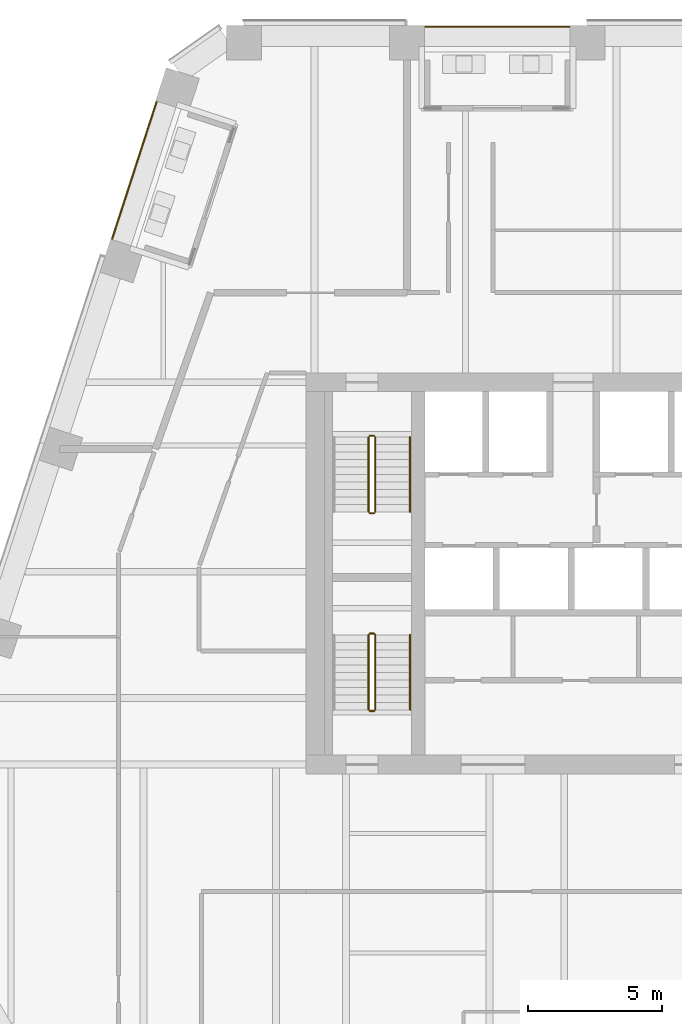
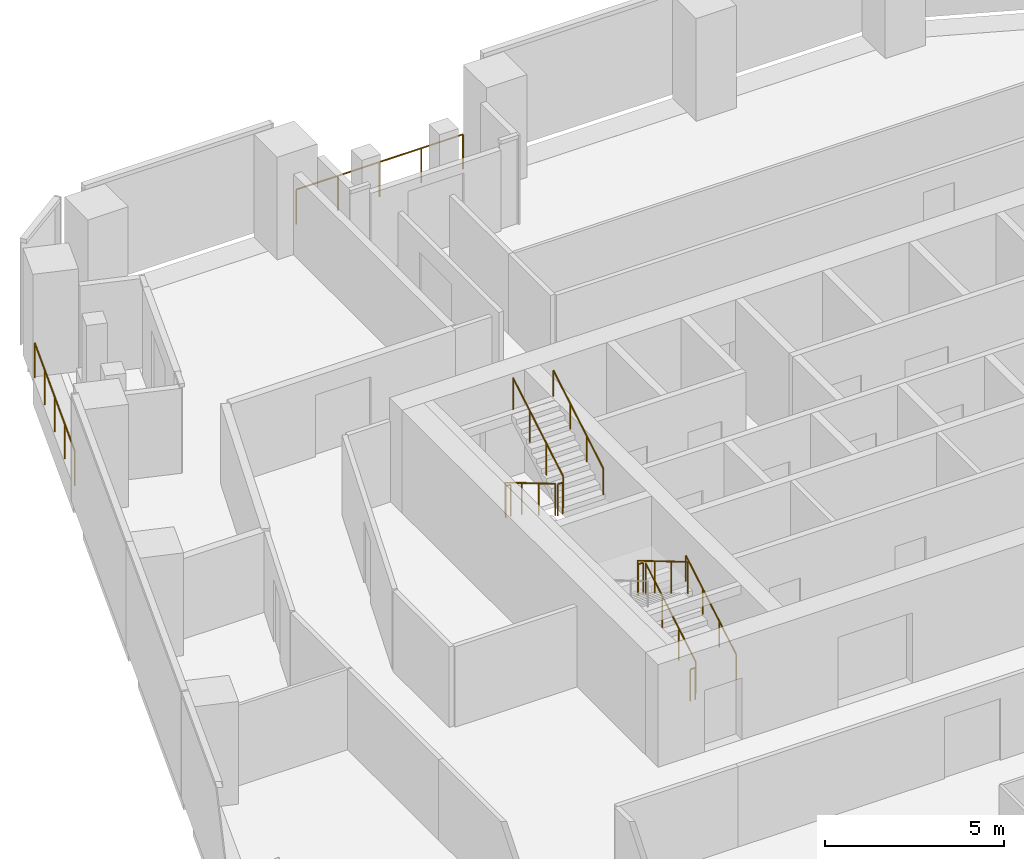
# One storey, part 24 of 26: 12 railings.
"""IFC4 building model written with IfcOpenShell, lengths in metres."""

from ifc_helpers import new_model, si_unit, direction, frame, origin, origin_2d, place, context, subcontext, project, spatial, circle, extrude, material, type_object, element, save


model = new_model("IFC4")

# Units and contexts
model_context = context("Model", 3, precision=1e-05, world=origin(), true_north=direction((0.0, 1.0)))
body_context = subcontext(model_context, "Body", "Model", "MODEL_VIEW")
ifc_project = project(units=[si_unit("LENGTHUNIT", "METRE"), si_unit("AREAUNIT", "SQUARE_METRE"), si_unit("VOLUMEUNIT", "CUBIC_METRE"), si_unit("PLANEANGLEUNIT", "RADIAN"), si_unit("MASSUNIT", "GRAM", prefix="KILO")], contexts=[model_context])

# Site, building, storey
site_placement = place(None, origin())
site = spatial("IfcSite", under=ifc_project, at=site_placement, CompositionType="ELEMENT")
building_placement = place(site_placement, origin())
building = spatial("IfcBuilding", under=site, at=building_placement, Name="Isthmus Gate Tower", CompositionType="ELEMENT")
storey_placement = place(building_placement, frame((0.0, 0.0, 189.050048828125)))
storey = spatial("IfcBuildingStorey", under=building, at=storey_placement, Name="L47", CompositionType="ELEMENT", Elevation=189.050048828125)

# Railings
ifc_material_1 = material(Name="Toughened laminated glass with stainless steel posts", Category="steel")
railing_type_1 = type_object("IfcRailingType", Name="GUARD 1200 FRAMELESS GLASS", PredefinedType="GUARDRAIL", material=ifc_material_1)
railing_1_placement = place(storey_placement, frame((-5.151611328125, 27.949951171875, 0.0)))
element("IfcRailing", 1, at=railing_1_placement, inside=storey, type_object=railing_type_1, Name="LOGGIA GUARD", PredefinedType="GUARDRAIL", context=body_context, shape_type="SweptSolid", body=[
    extrude(circle(Radius=0.02490234375, at=origin_2d()), frame((0.0, 0.0, 1.1748046875), z_axis=(-1.0, 0.0, 0.0), x_axis=(0.0, -1.0, 0.0)), (0.0, 0.0, 1.0), 5.3701171875),
    extrude(circle(Radius=0.02490234375, at=origin_2d()), origin(), (0.0, 0.0, 1.0), 1.14990234375),
    extrude(circle(Radius=0.02490234375, at=origin_2d()), frame((-1.342529296875, 0.0, 0.0)), (0.0, 0.0, 1.0), 1.14990234375),
    extrude(circle(Radius=0.02490234375, at=origin_2d()), frame((-2.68505859375, 0.0, 0.0)), (0.0, 0.0, 1.0), 1.14990234375),
    extrude(circle(Radius=0.02490234375, at=origin_2d()), frame((-4.027587890625, 0.0, 0.0)), (0.0, 0.0, 1.0), 1.14990234375),
    extrude(circle(Radius=0.02490234375, at=origin_2d()), frame((-5.3701171875, 0.0, 0.0)), (0.0, 0.0, 1.0), 1.14990234375),
])
railing_2_placement = place(storey_placement, frame((-20.581298828125, 25.125, 0.0)))
element("IfcRailing", 2, at=railing_2_placement, inside=storey, type_object=railing_type_1, Name="LOGGIA GUARD", PredefinedType="GUARDRAIL", context=body_context, shape_type="SweptSolid", body=[
    extrude(circle(Radius=0.02490234375, at=origin_2d()), frame((0.0, 0.0, 1.1748046875), z_axis=(-0.309045910933, -0.95104712025, 0.0), x_axis=(0.95104712025, -0.309045910933, 0.0)), (0.0, 0.0, 1.0), 5.36083984375),
    extrude(circle(Radius=0.02490234375, at=origin_2d()), origin(), (0.0, 0.0, 1.0), 1.14990234375),
    extrude(circle(Radius=0.02490234375, at=origin_2d()), frame((-0.4140625, -1.274658203125, 0.0)), (0.0, 0.0, 1.0), 1.14990234375),
    extrude(circle(Radius=0.02490234375, at=origin_2d()), frame((-0.828369140625, -2.54931640625, 0.0)), (0.0, 0.0, 1.0), 1.14990234375),
    extrude(circle(Radius=0.02490234375, at=origin_2d()), frame((-1.24267578125, -3.82373046875, 0.0)), (0.0, 0.0, 1.0), 1.14990234375),
    extrude(circle(Radius=0.02490234375, at=origin_2d()), frame((-1.65673828125, -5.098388671875, 0.0)), (0.0, 0.0, 1.0), 1.14990234375),
])
ifc_material_2 = material(Name="Stainless steel balustrade", Category="steel")
railing_type_2 = type_object("IfcRailingType", Name="STAIR GUARD 1100", PredefinedType="GUARDRAIL", material=ifc_material_2)
railing_3_placement = place(storey_placement, frame((-12.64990234375, 12.60009765625, 0.165771484375)))
element("IfcRailing", 3, at=railing_3_placement, inside=storey, type_object=railing_type_2, Name="L47 ST1 stair guard 1", PredefinedType="GUARDRAIL", context=body_context, shape_type="SweptSolid", body=[
    extrude(circle(Radius=0.02392578125, at=origin_2d()), frame((0.0, 0.0, 1.076171875), z_axis=(0.0, -0.860306154799, 0.50977771628), x_axis=(1.0, 0.0, 0.0)), (0.0, 0.0, 1.0), 3.254638671875),
    extrude(circle(Radius=0.02099609375, at=origin_2d()), origin(), (0.0, 0.0, 1.0), 1.052001953125),
    extrude(circle(Radius=0.02099609375, at=origin_2d()), frame((0.0, -0.933349609375, 0.552978515625)), (0.0, 0.0, 1.0), 1.052001953125),
    extrude(circle(Radius=0.02099609375, at=origin_2d()), frame((0.0, -1.86669921875, 1.106201171875)), (0.0, 0.0, 1.0), 1.052001953125),
    extrude(circle(Radius=0.02099609375, at=origin_2d()), frame((0.0, -2.800048828125, 1.6591796875)), (0.0, 0.0, 1.0), 1.052001953125),
])
railing_4_placement = place(storey_placement, frame((-12.60009765625, 9.75, 1.824951171875)))
element("IfcRailing", 4, at=railing_4_placement, inside=storey, type_object=railing_type_2, Name="L47 ST1 stair guard 2", PredefinedType="GUARDRAIL", context=body_context, shape_type="SweptSolid", body=[
    extrude(circle(Radius=0.02392578125, at=origin_2d()), frame((0.0, 0.0, 1.076171875), z_axis=(1.0, 0.0, 0.0), x_axis=(0.0, 1.0, 0.0)), (0.0, 0.0, 1.0), 0.150146484375),
    extrude(circle(Radius=0.02099609375, at=origin_2d()), origin(), (0.0, 0.0, 1.0), 1.052001953125),
    extrude(circle(Radius=0.02099609375, at=origin_2d()), frame((0.150146484375, 0.0, 0.0)), (0.0, 0.0, 1.0), 1.052001953125),
])
railing_5_placement = place(storey_placement, frame((-12.39990234375, 9.800048828125, 1.990966796875)))
element("IfcRailing", 5, at=railing_5_placement, inside=storey, type_object=railing_type_2, Name="L47 ST1 stair guard 3", PredefinedType="GUARDRAIL", context=body_context, shape_type="SweptSolid", body=[
    extrude(circle(Radius=0.02392578125, at=origin_2d()), frame((0.0, 0.0, 1.076171875), z_axis=(0.0, 0.860339051648, 0.50972219513), x_axis=(-1.0, 0.0, 0.0)), (0.0, 0.0, 1.0), 3.254638671875),
    extrude(circle(Radius=0.02099609375, at=origin_2d()), origin(), (0.0, 0.0, 1.0), 1.052001953125),
    extrude(circle(Radius=0.02099609375, at=origin_2d()), frame((0.0, 0.933349609375, 0.552978515625)), (0.0, 0.0, 1.0), 1.052001953125),
    extrude(circle(Radius=0.02099609375, at=origin_2d()), frame((0.0, 1.86669921875, 1.10595703125)), (0.0, 0.0, 1.0), 1.052001953125),
    extrude(circle(Radius=0.02099609375, at=origin_2d()), frame((0.0, 2.800048828125, 1.658935546875)), (0.0, 0.0, 1.0), 1.052001953125),
])
railing_6_placement = place(storey_placement, frame((-12.60009765625, 12.64990234375, 0.0)))
element("IfcRailing", 6, at=railing_6_placement, inside=storey, type_object=railing_type_2, Name="L47 ST1 stair guard 4", PredefinedType="GUARDRAIL", context=body_context, shape_type="SweptSolid", body=[
    extrude(circle(Radius=0.02392578125, at=origin_2d()), frame((0.0, 0.0, 1.076171875), z_axis=(1.0, 0.0, 0.0), x_axis=(0.0, 1.0, 0.0)), (0.0, 0.0, 1.0), 0.150146484375),
    extrude(circle(Radius=0.02099609375, at=origin_2d()), origin(), (0.0, 0.0, 1.0), 1.052001953125),
    extrude(circle(Radius=0.02099609375, at=origin_2d()), frame((0.150146484375, 0.0, 0.0)), (0.0, 0.0, 1.0), 1.052001953125),
])
railing_7_placement = place(storey_placement, frame((-12.39990234375, 2.39990234375, 0.165771484375)))
element("IfcRailing", 7, at=railing_7_placement, inside=storey, type_object=railing_type_2, Name="L47 ST7 stair guard 1", PredefinedType="GUARDRAIL", context=body_context, shape_type="SweptSolid", body=[
    extrude(circle(Radius=0.02392578125, at=origin_2d()), frame((0.0, 0.0, 1.076171875), z_axis=(0.0, 0.860306154799, 0.50977771628), x_axis=(-1.0, 0.0, 0.0)), (0.0, 0.0, 1.0), 3.254638671875),
    extrude(circle(Radius=0.02099609375, at=origin_2d()), origin(), (0.0, 0.0, 1.0), 1.052001953125),
    extrude(circle(Radius=0.02099609375, at=origin_2d()), frame((0.0, 0.933349609375, 0.552978515625)), (0.0, 0.0, 1.0), 1.052001953125),
    extrude(circle(Radius=0.02099609375, at=origin_2d()), frame((0.0, 1.86669921875, 1.106201171875)), (0.0, 0.0, 1.0), 1.052001953125),
    extrude(circle(Radius=0.02099609375, at=origin_2d()), frame((0.0, 2.800048828125, 1.6591796875)), (0.0, 0.0, 1.0), 1.052001953125),
])
railing_8_placement = place(storey_placement, frame((-12.449951171875, 5.25, 1.824951171875)))
element("IfcRailing", 8, at=railing_8_placement, inside=storey, type_object=railing_type_2, Name="L47 ST7 stair guard 2", PredefinedType="GUARDRAIL", context=body_context, shape_type="SweptSolid", body=[
    extrude(circle(Radius=0.02392578125, at=origin_2d()), frame((0.0, 0.0, 1.076171875), z_axis=(-1.0, 0.0, 0.0), x_axis=(0.0, -1.0, 0.0)), (0.0, 0.0, 1.0), 0.150146484375),
    extrude(circle(Radius=0.02099609375, at=origin_2d()), origin(), (0.0, 0.0, 1.0), 1.052001953125),
    extrude(circle(Radius=0.02099609375, at=origin_2d()), frame((-0.150146484375, 0.0, 0.0)), (0.0, 0.0, 1.0), 1.052001953125),
])
railing_9_placement = place(storey_placement, frame((-12.64990234375, 5.199951171875, 1.990966796875)))
element("IfcRailing", 9, at=railing_9_placement, inside=storey, type_object=railing_type_2, Name="L47 ST7 stair guard 3", PredefinedType="GUARDRAIL", context=body_context, shape_type="SweptSolid", body=[
    extrude(circle(Radius=0.02392578125, at=origin_2d()), frame((0.0, 0.0, 1.076171875), z_axis=(0.0, -0.860339051648, 0.50972219513), x_axis=(1.0, 0.0, 0.0)), (0.0, 0.0, 1.0), 3.254638671875),
    extrude(circle(Radius=0.02099609375, at=origin_2d()), origin(), (0.0, 0.0, 1.0), 1.052001953125),
    extrude(circle(Radius=0.02099609375, at=origin_2d()), frame((0.0, -0.933349609375, 0.552978515625)), (0.0, 0.0, 1.0), 1.052001953125),
    extrude(circle(Radius=0.02099609375, at=origin_2d()), frame((0.0, -1.86669921875, 1.10595703125)), (0.0, 0.0, 1.0), 1.052001953125),
    extrude(circle(Radius=0.02099609375, at=origin_2d()), frame((0.0, -2.800048828125, 1.658935546875)), (0.0, 0.0, 1.0), 1.052001953125),
])
railing_10_placement = place(storey_placement, frame((-12.449951171875, 2.35009765625, 0.0)))
element("IfcRailing", 10, at=railing_10_placement, inside=storey, type_object=railing_type_2, Name="L47 ST7 stair guard 4", PredefinedType="GUARDRAIL", context=body_context, shape_type="SweptSolid", body=[
    extrude(circle(Radius=0.02392578125, at=origin_2d()), frame((0.0, 0.0, 1.076171875), z_axis=(-1.0, 0.0, 0.0), x_axis=(0.0, -1.0, 0.0)), (0.0, 0.0, 1.0), 0.150146484375),
    extrude(circle(Radius=0.02099609375, at=origin_2d()), origin(), (0.0, 0.0, 1.0), 1.052001953125),
    extrude(circle(Radius=0.02099609375, at=origin_2d()), frame((-0.150146484375, 0.0, 0.0)), (0.0, 0.0, 1.0), 1.052001953125),
])
ifc_material_3 = material(Name="Stainless steel handrail", Category="steel")
railing_type_3 = type_object("IfcRailingType", Name="STAIR HANDRAIL 900", PredefinedType="HANDRAIL", material=ifc_material_3)
railing_11_placement = place(storey_placement, frame((-11.10009765625, 9.800048828125, 1.990966796875)))
element("IfcRailing", 11, at=railing_11_placement, inside=storey, type_object=railing_type_3, Name="L47 ST1 stair handrail 2", PredefinedType="HANDRAIL", context=body_context, shape_type="SweptSolid", body=[
    extrude(circle(Radius=0.02392578125, at=origin_2d()), frame((0.0, 0.0, 0.8759765625), z_axis=(0.0, 0.860339051648, 0.50972219513), x_axis=(-1.0, 0.0, 0.0)), (0.0, 0.0, 1.0), 3.254638671875),
    extrude(circle(Radius=0.02099609375, at=origin_2d()), origin(), (0.0, 0.0, 1.0), 0.851806640625),
    extrude(circle(Radius=0.02099609375, at=origin_2d()), frame((0.0, 0.933349609375, 0.552978515625)), (0.0, 0.0, 1.0), 0.851806640625),
    extrude(circle(Radius=0.02099609375, at=origin_2d()), frame((0.0, 1.86669921875, 1.10595703125)), (0.0, 0.0, 1.0), 0.851806640625),
    extrude(circle(Radius=0.02099609375, at=origin_2d()), frame((0.0, 2.800048828125, 1.658935546875)), (0.0, 0.0, 1.0), 0.851806640625),
])
railing_12_placement = place(storey_placement, frame((-11.10009765625, 2.39990234375, 0.165771484375)))
element("IfcRailing", 12, at=railing_12_placement, inside=storey, type_object=railing_type_3, Name="L47 ST7 stair handrail 1", PredefinedType="HANDRAIL", context=body_context, shape_type="SweptSolid", body=[
    extrude(circle(Radius=0.02392578125, at=origin_2d()), frame((0.0, 0.0, 0.8759765625), z_axis=(0.0, 0.860306154799, 0.50977771628), x_axis=(-1.0, 0.0, 0.0)), (0.0, 0.0, 1.0), 3.254638671875),
    extrude(circle(Radius=0.02099609375, at=origin_2d()), origin(), (0.0, 0.0, 1.0), 0.851806640625),
    extrude(circle(Radius=0.02099609375, at=origin_2d()), frame((0.0, 0.933349609375, 0.552978515625)), (0.0, 0.0, 1.0), 0.851806640625),
    extrude(circle(Radius=0.02099609375, at=origin_2d()), frame((0.0, 1.86669921875, 1.106201171875)), (0.0, 0.0, 1.0), 0.851806640625),
    extrude(circle(Radius=0.02099609375, at=origin_2d()), frame((0.0, 2.800048828125, 1.6591796875)), (0.0, 0.0, 1.0), 0.851806640625),
])

save(model, "model.ifc")
